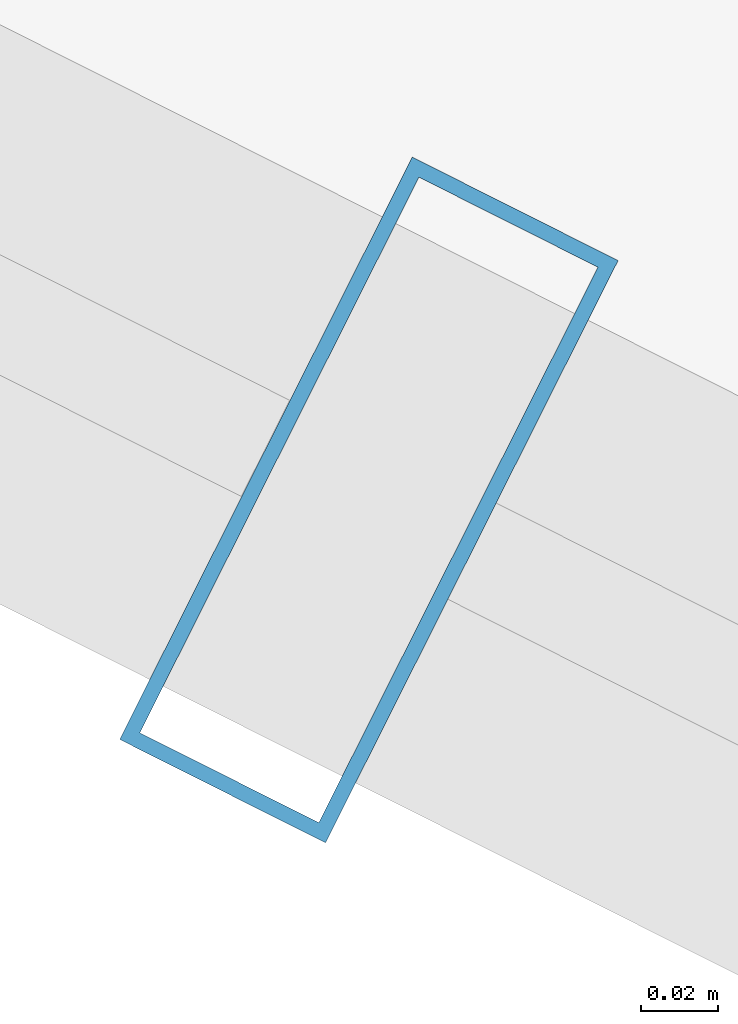
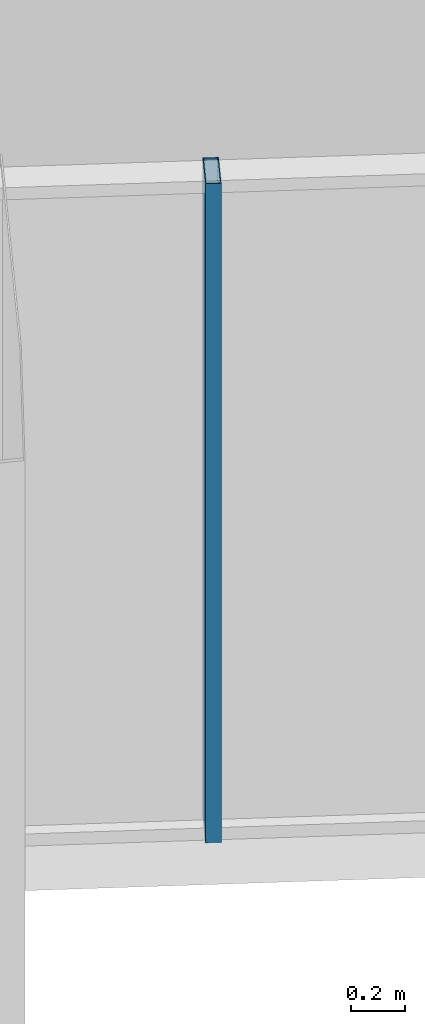
# One storey, part 4 of 33: 1 member, 1 element without a shape of its own.
"""IFC4 building model written with IfcOpenShell, lengths in metres."""

import ifcopenshell
import ifcopenshell.guid

model = None  # the IFC model being written
_history = None  # IfcOwnerHistory: only IFC2X3 demands one
_inside = {}  # id of a spatial element -> (the spatial element, [elements in it])
_under = {}  # id of a project, library or spatial element -> (it, [spatial elements below it])
_declared = {}  # id of a project -> (the project, [libraries it declares])
_typed = {}  # id of a type object -> (the type object, [elements of that type])
_made_of = {}  # id of a material, layer set ... -> (it, [elements and type objects made of it])


def new_model(schema):
    """Start an empty IFC model of exactly this schema.

    Asked for "IFC4X3", IfcOpenShell would pick the latest addendum, in which some entities
    have other attributes; the version numbers below select the first issue.
    IFC2X3 requires an IfcOwnerHistory on every rooted entity: one is made here for all.
    """
    global model, _history
    if schema == "IFC4X3":
        model = ifcopenshell.file(schema_version=(4, 3, 0, 0))
    else:
        model = ifcopenshell.file(schema=schema)
    _inside.clear()
    _under.clear()
    _declared.clear()
    _typed.clear()
    _made_of.clear()
    _history = None
    if model.schema == "IFC2X3":
        org = make("IfcOrganization", Name="unknown")
        user = make(
            "IfcPersonAndOrganization",
            ThePerson=make("IfcPerson", FamilyName="unknown"),
            TheOrganization=org,
        )
        app = make(
            "IfcApplication",
            ApplicationDeveloper=org,
            Version="unknown",
            ApplicationFullName="unknown",
            ApplicationIdentifier="unknown",
        )
        _history = make(
            "IfcOwnerHistory",
            OwningUser=user,
            OwningApplication=app,
            ChangeAction="ADDED",
            CreationDate=0,
        )
    return model


def make(cls, **values):
    """One entity of the class cls with the attributes given. An attribute that is None is left unset."""
    return model.create_entity(
        cls, **{name: value for name, value in values.items() if value is not None}
    )


def rooted(cls, **values):
    """An entity with a GlobalId (a new one), such as an element, a storey or a relation."""
    return make(cls, GlobalId=ifcopenshell.guid.new(), OwnerHistory=_history, **values)


def si_unit(unit_type, name, prefix=None):
    """IfcSIUnit, for example si_unit("LENGTHUNIT", "METRE", prefix="MILLI")."""
    return make("IfcSIUnit", UnitType=unit_type, Prefix=prefix, Name=name)


def assignment(units):
    """IfcUnitAssignment: the units of a project."""
    return None if units is None else make("IfcUnitAssignment", Units=units)


def point(xyz):
    """IfcCartesianPoint."""
    return None if xyz is None else make("IfcCartesianPoint", Coordinates=xyz)


def direction(xyz):
    """IfcDirection."""
    return None if xyz is None else make("IfcDirection", DirectionRatios=xyz)


def frame(location, z_axis=None, x_axis=None):
    """IfcAxis2Placement3D, a coordinate frame: its origin and axes. An axis left out is left unset."""
    return make(
        "IfcAxis2Placement3D",
        Location=point(location),
        Axis=direction(z_axis),
        RefDirection=direction(x_axis),
    )


def frame_2d(location, x_axis=None):
    """IfcAxis2Placement2D, a coordinate frame in the plane: its origin and x axis."""
    return make(
        "IfcAxis2Placement2D", Location=point(location), RefDirection=direction(x_axis)
    )


def origin():
    """The frame at (0, 0, 0) with its axes left unset."""
    return frame((0.0, 0.0, 0.0))


def origin_2d():
    """The frame at (0, 0) in the plane with its x axis left unset."""
    return frame_2d((0.0, 0.0))


def place(relative_to, where):
    """IfcLocalPlacement: puts the frame where relative to a parent placement (None: the world)."""
    return make(
        "IfcLocalPlacement", PlacementRelTo=relative_to, RelativePlacement=where
    )


def context(
    kind, dimensions, precision=None, world=None, true_north=None, identifier=None
):
    """IfcGeometricRepresentationContext, for example the 3D "Model" context."""
    return make(
        "IfcGeometricRepresentationContext",
        ContextIdentifier=identifier,
        ContextType=kind,
        CoordinateSpaceDimension=dimensions,
        Precision=precision,
        WorldCoordinateSystem=world,
        TrueNorth=true_north,
    )


def subcontext(parent, identifier, kind, view, scale=None):
    """IfcGeometricRepresentationSubContext, for example "Body" below "Model"."""
    return make(
        "IfcGeometricRepresentationSubContext",
        ContextIdentifier=identifier,
        ContextType=kind,
        ParentContext=parent,
        TargetScale=scale,
        TargetView=view,
    )


def project(units=None, contexts=None):
    """IfcProject with its units and contexts."""
    return rooted(
        "IfcProject",
        Name="project",
        RepresentationContexts=contexts,
        UnitsInContext=assignment(units),
    )


def spatial(cls, under=None, at=None, **own):
    """A site, building, storey or space (cls), placed at a placement, below another one or the project."""
    s = rooted(cls, ObjectPlacement=at, **own)
    if under is not None:
        _under.setdefault(under.id(), (under, []))[1].append(s)
    return s


def profile(cls, at=None, kind="AREA", **sizes):
    """A parametric profile (cls). Its sizes go by their IFC names, for example OverallWidth=200.0."""
    return make(cls, ProfileType=kind, Position=at, **sizes)


def hollow_rectangle(**sizes):
    """IfcRectangleHollowProfileDef."""
    return profile("IfcRectangleHollowProfileDef", **sizes)


def extrude(swept, where, along, depth):
    """IfcExtrudedAreaSolid: the profile swept, set in the frame where, extruded along a direction by depth."""
    return make(
        "IfcExtrudedAreaSolid",
        SweptArea=swept,
        Position=where,
        ExtrudedDirection=direction(along),
        Depth=depth,
    )


def shape(context_of_items, identifier, shape_type, items):
    """IfcShapeRepresentation: the items that make up one representation, for example the "Body"."""
    return make(
        "IfcShapeRepresentation",
        ContextOfItems=context_of_items,
        RepresentationIdentifier=identifier,
        RepresentationType=shape_type,
        Items=items,
    )


def source(mapping_origin, context_of_items, identifier, shape_type, items):
    """IfcRepresentationMap: a shape defined once, which mapped items show again and again."""
    return make(
        "IfcRepresentationMap",
        MappingOrigin=mapping_origin,
        MappedRepresentation=shape(context_of_items, identifier, shape_type, items),
    )


def transform(
    local_origin,
    x_axis=None,
    y_axis=None,
    z_axis=None,
    scale=None,
    scale2=None,
    scale3=None,
    uniform=True,
):
    """IfcCartesianTransformationOperator3D, or its non-uniform kind. x_axis, y_axis, z_axis: its Axis1, 2, 3."""
    if uniform:
        return make(
            "IfcCartesianTransformationOperator3D",
            Axis1=direction(x_axis),
            Axis2=direction(y_axis),
            LocalOrigin=point(local_origin),
            Scale=scale,
            Axis3=direction(z_axis),
        )
    return make(
        "IfcCartesianTransformationOperator3DnonUniform",
        Axis1=direction(x_axis),
        Axis2=direction(y_axis),
        LocalOrigin=point(local_origin),
        Scale=scale,
        Axis3=direction(z_axis),
        Scale2=scale2,
        Scale3=scale3,
    )


def mapped(mapping_source, mapping_target):
    """IfcMappedItem: shows the shape of a source again, moved by a transform."""
    return make(
        "IfcMappedItem", MappingSource=mapping_source, MappingTarget=mapping_target
    )


def material(Name=None, Category=None):
    """IfcMaterial."""
    return make("IfcMaterial", Name=Name, Category=Category)


def layer(
    of_material, thickness, ventilated=None, Name=None, Category=None, Priority=None
):
    """IfcMaterialLayer: one layer of a wall or slab, of a material (None: an air gap)."""
    return make(
        "IfcMaterialLayer",
        Material=of_material,
        LayerThickness=thickness,
        IsVentilated=ventilated,
        Name=Name,
        Category=Category,
        Priority=Priority,
    )


def layer_set(layers, Name=None):
    """IfcMaterialLayerSet."""
    return make("IfcMaterialLayerSet", MaterialLayers=layers, LayerSetName=Name)


def material_profile(
    of_material, cross_section, Name=None, Category=None, Priority=None
):
    """IfcMaterialProfile: a cross section and its material."""
    return make(
        "IfcMaterialProfile",
        Name=Name,
        Material=of_material,
        Profile=cross_section,
        Priority=Priority,
        Category=Category,
    )


def profile_set(profiles, Name=None, composite=None):
    """IfcMaterialProfileSet."""
    return make(
        "IfcMaterialProfileSet",
        Name=Name,
        MaterialProfiles=profiles,
        CompositeProfile=composite,
    )


def made_of(thing, what):
    """Note that an element or type object is made of a material, layer set ...; save() writes the relation."""
    if what is not None:
        _made_of.setdefault(what.id(), (what, []))[1].append(thing)
    return thing


def type_object(cls, material=None, **own):
    """A type object (cls), such as IfcWallType, which elements share."""
    return made_of(rooted(cls, **own), material)


def element(
    cls,
    number,
    at=None,
    inside=None,
    cuts=None,
    type_object=None,
    material=None,
    context=None,
    identifier="Body",
    shape_type=None,
    held_by="IfcProductDefinitionShape",
    body=None,
    shapes=None,
    **own,
):
    """One element of the class cls, such as IfcWall. Its Tag is "e" and its number.

    at: its placement. inside: the storey or other place that contains it. cuts: it is an
    opening in that element (IfcRelVoidsElement). A single representation is given by context,
    identifier, shape_type and body (its items); several are given by shapes. held_by: the class
    of the entity that holds the representations. save() writes the other relations.
    """
    e = rooted(cls, Tag="e%d" % number, ObjectPlacement=at, **own)
    if body is not None:
        shapes = [shape(context, identifier, shape_type, body)]
    if shapes is not None:
        e.Representation = make(held_by, Representations=shapes)
    if inside is not None:
        _inside.setdefault(inside.id(), (inside, []))[1].append(e)
    if cuts is not None:
        rooted(
            "IfcRelVoidsElement", RelatingBuildingElement=cuts, RelatedOpeningElement=e
        )
    if type_object is not None:
        _typed.setdefault(type_object.id(), (type_object, []))[1].append(e)
    return made_of(e, material)


def aggregate(whole, parts):
    """IfcRelAggregates: a whole, such as a stair, and the parts it consists of."""
    return rooted("IfcRelAggregates", RelatingObject=whole, RelatedObjects=parts)


def save(model, path):
    """Write the relations noted so far, then the file.

    IfcRelAggregates (storeys below a building ...), IfcRelContainedInSpatialStructure (elements
    in a storey), IfcRelDefinesByType, IfcRelAssociatesMaterial and IfcRelDeclares: one each for
    every whole, place, type object, material and project.
    """
    for whole, parts in _under.values():
        aggregate(whole, parts)
    for where, things in _inside.values():
        rooted(
            "IfcRelContainedInSpatialStructure",
            RelatedElements=things,
            RelatingStructure=where,
        )
    for kind, things in _typed.values():
        rooted("IfcRelDefinesByType", RelatedObjects=things, RelatingType=kind)
    for what, things in _made_of.values():
        rooted("IfcRelAssociatesMaterial", RelatedObjects=things, RelatingMaterial=what)
    for by, libraries in _declared.values():
        rooted("IfcRelDeclares", RelatingContext=by, RelatedDefinitions=libraries)
    model.write(path)


model = new_model("IFC4")

# Units and contexts
model_context = context("Model", 3, precision=1e-05, world=origin(), true_north=direction((0.0, 1.0)))
body_context = subcontext(model_context, "Body", "Model", "MODEL_VIEW")
ifc_project = project(units=[si_unit("LENGTHUNIT", "METRE"), si_unit("AREAUNIT", "SQUARE_METRE"), si_unit("VOLUMEUNIT", "CUBIC_METRE"), si_unit("PLANEANGLEUNIT", "RADIAN"), si_unit("MASSUNIT", "GRAM", prefix="KILO")], contexts=[model_context])

# Site, building, storey
site_placement = place(None, origin())
site = spatial("IfcSite", under=ifc_project, at=site_placement, CompositionType="ELEMENT")
building_placement = place(site_placement, origin())
building = spatial("IfcBuilding", under=site, at=building_placement, Name="Veraguas Prism Commons", CompositionType="ELEMENT")
storey_placement = place(building_placement, frame((0.0, 0.0, 139.25)))
storey = spatial("IfcBuildingStorey", under=building, at=storey_placement, Name="L39", CompositionType="ELEMENT", Elevation=139.25)

# Curtain wall, member
ifc_material = material(Name="Anodised aluminium EN AW-6063 T6", Category="aluminium")
ifc_layer = layer(ifc_material, 0.169921875, Name="Unitised Flush Curtain Wall Zone 2", Category="aluminium")
ifc_layer_set = layer_set([ifc_layer], Name="Anodised aluminium EN AW-6063 T6")
curtain_wall_type = type_object("IfcCurtainWallType", Name="Unitised Flush Curtain Wall Zone 2", PredefinedType="NOTDEFINED", material=ifc_layer_set)
curtain_wall_placement = place(storey_placement, origin())
curtain_wall = element("IfcCurtainWall", 1, at=curtain_wall_placement, inside=storey, type_object=curtain_wall_type, Name="Tower Facade Curtain Wall L39-F4", PredefinedType="NOTDEFINED")
ifc_material_profile = material_profile(ifc_material, hollow_rectangle(XDim=0.06005859375, YDim=0.169921875, WallThickness=0.00390625, at=origin_2d()), Name="AL60X170X4")
ifc_profile_set = profile_set([ifc_material_profile], Name="Anodised aluminium EN AW-6063 T6")
member_type = type_object("IfcMemberType", Name="Curtain Wall Mullion Lower AL 60x170x4", PredefinedType="MULLION", material=ifc_profile_set)
shared_shape = source(origin(), body_context, "Body", "SweptSolid", [
    extrude(hollow_rectangle(XDim=0.06005859375, YDim=0.169921875, WallThickness=0.00390625, at=origin_2d()), origin(), (0.0, 0.0, 1.0), 3.0),
])
member_placement = place(storey_placement, frame((19.23681640625, 4.92529296875, 0.0), z_axis=(0.0, 0.0, 1.0), x_axis=(0.893525824808, -0.449011804301, 0.0)))
member = element("IfcMember", 2, at=member_placement, type_object=member_type, Name="CW-Z2 Mullion 4", PredefinedType="MULLION", context=body_context, shape_type="MappedRepresentation", body=[
    mapped(shared_shape, transform((0.0, 0.0, 0.0), scale=1.0)),
])
aggregate(curtain_wall, [member])

save(model, "model.ifc")
